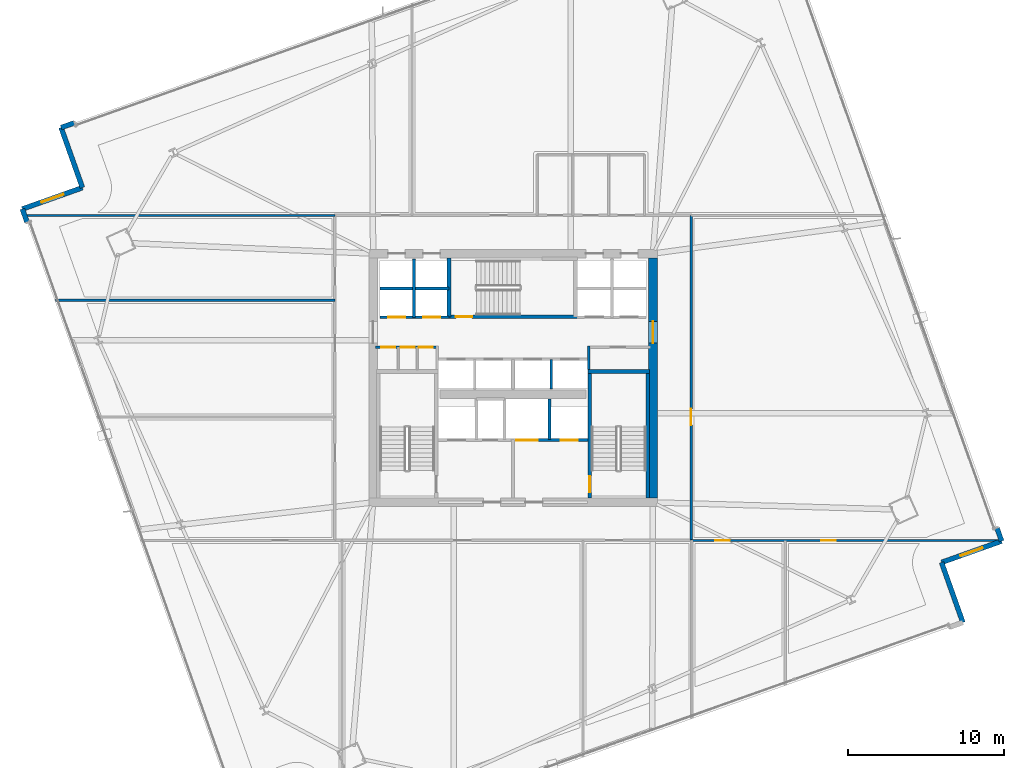
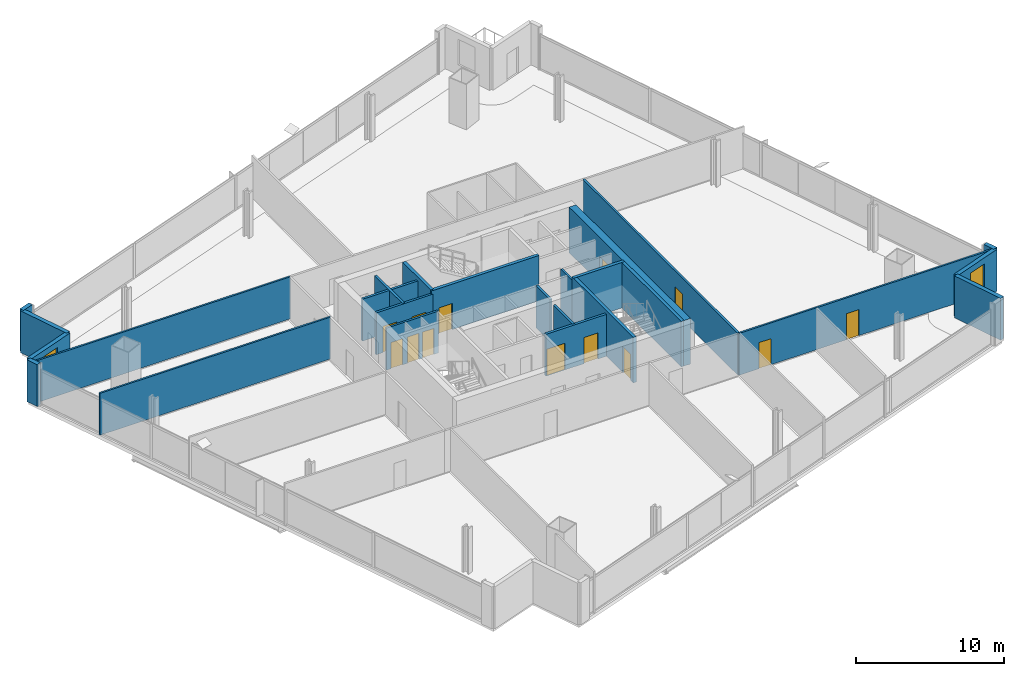
# One storey, part 26 of 33: 25 walls, 13 doors, 2 windows, 15 openings.
"""IFC4 building model written with IfcOpenShell, lengths in metres."""

import ifcopenshell
import ifcopenshell.guid

model = None  # the IFC model being written
_history = None  # IfcOwnerHistory: only IFC2X3 demands one
_inside = {}  # id of a spatial element -> (the spatial element, [elements in it])
_under = {}  # id of a project, library or spatial element -> (it, [spatial elements below it])
_declared = {}  # id of a project -> (the project, [libraries it declares])
_typed = {}  # id of a type object -> (the type object, [elements of that type])
_made_of = {}  # id of a material, layer set ... -> (it, [elements and type objects made of it])


def new_model(schema):
    """Start an empty IFC model of exactly this schema.

    Asked for "IFC4X3", IfcOpenShell would pick the latest addendum, in which some entities
    have other attributes; the version numbers below select the first issue.
    IFC2X3 requires an IfcOwnerHistory on every rooted entity: one is made here for all.
    """
    global model, _history
    if schema == "IFC4X3":
        model = ifcopenshell.file(schema_version=(4, 3, 0, 0))
    else:
        model = ifcopenshell.file(schema=schema)
    _inside.clear()
    _under.clear()
    _declared.clear()
    _typed.clear()
    _made_of.clear()
    _history = None
    if model.schema == "IFC2X3":
        org = make("IfcOrganization", Name="unknown")
        user = make(
            "IfcPersonAndOrganization",
            ThePerson=make("IfcPerson", FamilyName="unknown"),
            TheOrganization=org,
        )
        app = make(
            "IfcApplication",
            ApplicationDeveloper=org,
            Version="unknown",
            ApplicationFullName="unknown",
            ApplicationIdentifier="unknown",
        )
        _history = make(
            "IfcOwnerHistory",
            OwningUser=user,
            OwningApplication=app,
            ChangeAction="ADDED",
            CreationDate=0,
        )
    return model


def make(cls, **values):
    """One entity of the class cls with the attributes given. An attribute that is None is left unset."""
    return model.create_entity(
        cls, **{name: value for name, value in values.items() if value is not None}
    )


def rooted(cls, **values):
    """An entity with a GlobalId (a new one), such as an element, a storey or a relation."""
    return make(cls, GlobalId=ifcopenshell.guid.new(), OwnerHistory=_history, **values)


def si_unit(unit_type, name, prefix=None):
    """IfcSIUnit, for example si_unit("LENGTHUNIT", "METRE", prefix="MILLI")."""
    return make("IfcSIUnit", UnitType=unit_type, Prefix=prefix, Name=name)


def assignment(units):
    """IfcUnitAssignment: the units of a project."""
    return None if units is None else make("IfcUnitAssignment", Units=units)


def point(xyz):
    """IfcCartesianPoint."""
    return None if xyz is None else make("IfcCartesianPoint", Coordinates=xyz)


def direction(xyz):
    """IfcDirection."""
    return None if xyz is None else make("IfcDirection", DirectionRatios=xyz)


def frame(location, z_axis=None, x_axis=None):
    """IfcAxis2Placement3D, a coordinate frame: its origin and axes. An axis left out is left unset."""
    return make(
        "IfcAxis2Placement3D",
        Location=point(location),
        Axis=direction(z_axis),
        RefDirection=direction(x_axis),
    )


def frame_2d(location, x_axis=None):
    """IfcAxis2Placement2D, a coordinate frame in the plane: its origin and x axis."""
    return make(
        "IfcAxis2Placement2D", Location=point(location), RefDirection=direction(x_axis)
    )


def origin():
    """The frame at (0, 0, 0) with its axes left unset."""
    return frame((0.0, 0.0, 0.0))


def place(relative_to, where):
    """IfcLocalPlacement: puts the frame where relative to a parent placement (None: the world)."""
    return make(
        "IfcLocalPlacement", PlacementRelTo=relative_to, RelativePlacement=where
    )


def context(
    kind, dimensions, precision=None, world=None, true_north=None, identifier=None
):
    """IfcGeometricRepresentationContext, for example the 3D "Model" context."""
    return make(
        "IfcGeometricRepresentationContext",
        ContextIdentifier=identifier,
        ContextType=kind,
        CoordinateSpaceDimension=dimensions,
        Precision=precision,
        WorldCoordinateSystem=world,
        TrueNorth=true_north,
    )


def subcontext(parent, identifier, kind, view, scale=None):
    """IfcGeometricRepresentationSubContext, for example "Body" below "Model"."""
    return make(
        "IfcGeometricRepresentationSubContext",
        ContextIdentifier=identifier,
        ContextType=kind,
        ParentContext=parent,
        TargetScale=scale,
        TargetView=view,
    )


def project(units=None, contexts=None):
    """IfcProject with its units and contexts."""
    return rooted(
        "IfcProject",
        Name="project",
        RepresentationContexts=contexts,
        UnitsInContext=assignment(units),
    )


def spatial(cls, under=None, at=None, **own):
    """A site, building, storey or space (cls), placed at a placement, below another one or the project."""
    s = rooted(cls, ObjectPlacement=at, **own)
    if under is not None:
        _under.setdefault(under.id(), (under, []))[1].append(s)
    return s


def profile(cls, at=None, kind="AREA", **sizes):
    """A parametric profile (cls). Its sizes go by their IFC names, for example OverallWidth=200.0."""
    return make(cls, ProfileType=kind, Position=at, **sizes)


def rectangle(**sizes):
    """IfcRectangleProfileDef."""
    return profile("IfcRectangleProfileDef", **sizes)


def extrude(swept, where, along, depth):
    """IfcExtrudedAreaSolid: the profile swept, set in the frame where, extruded along a direction by depth."""
    return make(
        "IfcExtrudedAreaSolid",
        SweptArea=swept,
        Position=where,
        ExtrudedDirection=direction(along),
        Depth=depth,
    )


def shape(context_of_items, identifier, shape_type, items):
    """IfcShapeRepresentation: the items that make up one representation, for example the "Body"."""
    return make(
        "IfcShapeRepresentation",
        ContextOfItems=context_of_items,
        RepresentationIdentifier=identifier,
        RepresentationType=shape_type,
        Items=items,
    )


def material(Name=None, Category=None):
    """IfcMaterial."""
    return make("IfcMaterial", Name=Name, Category=Category)


def layer(
    of_material, thickness, ventilated=None, Name=None, Category=None, Priority=None
):
    """IfcMaterialLayer: one layer of a wall or slab, of a material (None: an air gap)."""
    return make(
        "IfcMaterialLayer",
        Material=of_material,
        LayerThickness=thickness,
        IsVentilated=ventilated,
        Name=Name,
        Category=Category,
        Priority=Priority,
    )


def layer_set(layers, Name=None):
    """IfcMaterialLayerSet."""
    return make("IfcMaterialLayerSet", MaterialLayers=layers, LayerSetName=Name)


def made_of(thing, what):
    """Note that an element or type object is made of a material, layer set ...; save() writes the relation."""
    if what is not None:
        _made_of.setdefault(what.id(), (what, []))[1].append(thing)
    return thing


def type_object(cls, material=None, **own):
    """A type object (cls), such as IfcWallType, which elements share."""
    return made_of(rooted(cls, **own), material)


def element(
    cls,
    number,
    at=None,
    inside=None,
    cuts=None,
    type_object=None,
    material=None,
    context=None,
    identifier="Body",
    shape_type=None,
    held_by="IfcProductDefinitionShape",
    body=None,
    shapes=None,
    **own,
):
    """One element of the class cls, such as IfcWall. Its Tag is "e" and its number.

    at: its placement. inside: the storey or other place that contains it. cuts: it is an
    opening in that element (IfcRelVoidsElement). A single representation is given by context,
    identifier, shape_type and body (its items); several are given by shapes. held_by: the class
    of the entity that holds the representations. save() writes the other relations.
    """
    e = rooted(cls, Tag="e%d" % number, ObjectPlacement=at, **own)
    if body is not None:
        shapes = [shape(context, identifier, shape_type, body)]
    if shapes is not None:
        e.Representation = make(held_by, Representations=shapes)
    if inside is not None:
        _inside.setdefault(inside.id(), (inside, []))[1].append(e)
    if cuts is not None:
        rooted(
            "IfcRelVoidsElement", RelatingBuildingElement=cuts, RelatedOpeningElement=e
        )
    if type_object is not None:
        _typed.setdefault(type_object.id(), (type_object, []))[1].append(e)
    return made_of(e, material)


def fill(opening, filler):
    """IfcRelFillsElement: the door or window that sits in an opening."""
    return rooted(
        "IfcRelFillsElement",
        RelatingOpeningElement=opening,
        RelatedBuildingElement=filler,
    )


def aggregate(whole, parts):
    """IfcRelAggregates: a whole, such as a stair, and the parts it consists of."""
    return rooted("IfcRelAggregates", RelatingObject=whole, RelatedObjects=parts)


def save(model, path):
    """Write the relations noted so far, then the file.

    IfcRelAggregates (storeys below a building ...), IfcRelContainedInSpatialStructure (elements
    in a storey), IfcRelDefinesByType, IfcRelAssociatesMaterial and IfcRelDeclares: one each for
    every whole, place, type object, material and project.
    """
    for whole, parts in _under.values():
        aggregate(whole, parts)
    for where, things in _inside.values():
        rooted(
            "IfcRelContainedInSpatialStructure",
            RelatedElements=things,
            RelatingStructure=where,
        )
    for kind, things in _typed.values():
        rooted("IfcRelDefinesByType", RelatedObjects=things, RelatingType=kind)
    for what, things in _made_of.values():
        rooted("IfcRelAssociatesMaterial", RelatedObjects=things, RelatingMaterial=what)
    for by, libraries in _declared.values():
        rooted("IfcRelDeclares", RelatingContext=by, RelatedDefinitions=libraries)
    model.write(path)


model = new_model("IFC4")

# Units and contexts
model_context = context("Model", 3, precision=1e-05, world=origin(), true_north=direction((0.0, 1.0)))
body_context = subcontext(model_context, "Body", "Model", "MODEL_VIEW")
ifc_project = project(units=[si_unit("LENGTHUNIT", "METRE"), si_unit("AREAUNIT", "SQUARE_METRE"), si_unit("VOLUMEUNIT", "CUBIC_METRE"), si_unit("PLANEANGLEUNIT", "RADIAN"), si_unit("MASSUNIT", "GRAM", prefix="KILO")], contexts=[model_context])

# Site, building, storey
site_placement = place(None, origin())
site = spatial("IfcSite", under=ifc_project, at=site_placement, CompositionType="ELEMENT")
building_placement = place(site_placement, origin())
building = spatial("IfcBuilding", under=site, at=building_placement, Name="Haldenkirk Collegiate Tower", CompositionType="ELEMENT")
storey_placement = place(building_placement, frame((0.0, 0.0, 94.199951171875)))
storey = spatial("IfcBuildingStorey", under=building, at=storey_placement, Name="L22", CompositionType="ELEMENT", Elevation=94.199951171875)

# Wall, opening, door
ifc_material_1 = material(Name="Concrete f'c 70 MPa", Category="concrete")
ifc_layer_1 = layer(ifc_material_1, 0.550048828125)
ifc_layer_set_1 = layer_set([ifc_layer_1], Name="Concrete f'c 70 MPa")
wall_type_1 = type_object("IfcWallType", Name="WL-CORE-550", PredefinedType="SHEAR", material=ifc_layer_set_1)
wall_1_placement = place(storey_placement, frame((45.0, 18.27490234375, 0.0), z_axis=(0.0, 0.0, 1.0), x_axis=(0.0, 1.0, 0.0)))
wall_1 = element("IfcWall", 1, at=wall_1_placement, inside=storey, type_object=wall_type_1, Name="L22 central core shear wall E", PredefinedType="SHEAR", context=body_context, shape_type="SweptSolid", body=[
    extrude(rectangle(XDim=15.4501953125, YDim=0.550048828125, at=frame_2d((7.72509765625, 0.0))), origin(), (0.0, 0.0, 1.0), 3.75),
])
opening_1_placement = place(wall_1_placement, frame((9.965087890625, 0.0, 0.0)))
opening_1 = element("IfcOpeningElement", 2, at=opening_1_placement, cuts=wall_1, Name="Opening D-03", PredefinedType="OPENING", context=body_context, shape_type="SweptSolid", body=[
    extrude(rectangle(XDim=1.39990234375, YDim=2.199951171875, at=frame_2d((0.699951171875, 1.10009765625))), frame((0.0, 0.284912109375, 0.0), z_axis=(0.0, -1.0, 0.0), x_axis=(1.0, 0.0, 0.0)), (0.0, 0.0, 1.0), 0.570068359375),
])
ifc_material_2 = material(Name="Galvanized fire-rated hollow steel door", Category="steel")
ifc_layer_2 = layer(ifc_material_2, 0.06005859375)
ifc_layer_set_2 = layer_set([ifc_layer_2], Name="Galvanized fire-rated hollow steel door")
door_type_1 = type_object("IfcDoorType", Name="DR-LOBBY-FD90-1400", OperationType="NOTDEFINED", PredefinedType="DOOR", material=ifc_layer_set_2)
door_1_placement = place(opening_1_placement, origin())
door_1 = element("IfcDoor", 3, at=door_1_placement, inside=storey, type_object=door_type_1, Name="L22 east lift lobby portal", OperationType="DOUBLE_DOOR_SINGLE_SWING", OverallHeight=2.199951171875, OverallWidth=1.39990234375, PredefinedType="DOOR", context=body_context, shape_type="SweptSolid", body=[
    extrude(rectangle(XDim=1.39990234375, YDim=2.199951171875, at=frame_2d((0.699951171875, 1.10009765625))), frame((0.0, 0.02490234375, 0.0), z_axis=(0.0, -1.0, 0.0), x_axis=(1.0, 0.0, 0.0)), (0.0, 0.0, 1.0), 0.050048828125),
])
fill(opening_1, door_1)

# Wall
ifc_material_3 = material(Name="Precast concrete f'c 40 MPa", Category="concrete")
ifc_layer_3 = layer(ifc_material_3, 0.320068359375)
ifc_layer_set_3 = layer_set([ifc_layer_3], Name="Precast concrete f'c 40 MPa")
wall_type_2 = type_object("IfcWallType", Name="WL-EXT-TWR-320", PredefinedType="STANDARD", material=ifc_layer_set_3)
wall_2_placement = place(storey_placement, frame((63.55810546875, 14.137939453125, 0.0), z_axis=(0.0, 0.0, 1.0), x_axis=(0.334657214633, -0.942339932664, 0.0)))
element("IfcWall", 4, at=wall_2_placement, inside=storey, type_object=wall_type_2, Name="L22 bronze precast notch wall 02", PredefinedType="STANDARD", context=body_context, shape_type="SweptSolid", body=[
    extrude(rectangle(XDim=4.099853515625, YDim=0.320068359375, at=frame_2d((2.0498046875, 0.0))), origin(), (0.0, 0.0, 1.0), 3.449951171875),
])

# Wall, opening, window
wall_3_placement = place(storey_placement, frame((67.421875, 15.510009765625, 0.0), z_axis=(0.0, 0.0, 1.0), x_axis=(-0.942346601157, -0.334638436655, 0.0)))
wall_3 = element("IfcWall", 5, at=wall_3_placement, inside=storey, type_object=wall_type_2, Name="L22 bronze precast notch wall 03", PredefinedType="STANDARD", context=body_context, shape_type="SweptSolid", body=[
    extrude(rectangle(XDim=4.10009765625, YDim=0.320068359375, at=frame_2d((2.050048828125, 0.0))), origin(), (0.0, 0.0, 1.0), 3.449951171875),
])
opening_2_placement = place(wall_3_placement, frame((1.300048828125, 0.0, 0.85009765625)))
opening_2 = element("IfcOpeningElement", 6, at=opening_2_placement, cuts=wall_3, Name="Opening W-04", PredefinedType="OPENING", context=body_context, shape_type="SweptSolid", body=[
    extrude(rectangle(XDim=1.5, YDim=2.10009765625, at=frame_2d((0.75, 1.050048828125))), frame((0.0, 0.169921875, 0.0), z_axis=(0.0, -1.0, 0.0), x_axis=(1.0, 0.0, 0.0)), (0.0, 0.0, 1.0), 0.340087890625),
])
ifc_material_4 = material(Name="Low-E argon triple insulating glass", Category="glass")
ifc_layer_4 = layer(ifc_material_4, 0.090087890625)
ifc_layer_set_4 = layer_set([ifc_layer_4], Name="Low-E argon triple insulating glass")
window_type = type_object("IfcWindowType", Name="WN-Z2-1500X2100", PartitioningType="SINGLE_PANEL", PredefinedType="WINDOW", material=ifc_layer_set_4)
window_1_placement = place(opening_2_placement, origin())
window_1 = element("IfcWindow", 7, at=window_1_placement, inside=storey, type_object=window_type, Name="L22 precast-frame academic window 2", OverallHeight=2.10009765625, OverallWidth=1.5, PartitioningType="SINGLE_PANEL", PredefinedType="WINDOW", context=body_context, shape_type="SweptSolid", body=[
    extrude(rectangle(XDim=1.5, YDim=2.10009765625, at=frame_2d((0.75, 1.050048828125))), frame((0.0, 0.030029296875, 0.0), z_axis=(0.0, -1.0, 0.0), x_axis=(1.0, 0.0, 0.0)), (0.0, 0.0, 1.0), 0.06005859375),
])
fill(opening_2, window_1)

# Walls
for number, where, z_axis, x_axis, name in (
    (8, (67.12060546875, 16.35791015625, 0.0), (0.0, 0.0, 1.0), (0.334806260651, -0.94228698804, 0.0), "L22 precast corner pier ER"),
    (9, (6.93603515625, 42.102783203125, 0.0), (0.0, 0.0, 1.0), (0.942402922144, 0.334479793611, 0.0), "L22 precast corner pier NL"),
):
    element("IfcWall", number, at=place(storey_placement, frame(where, z_axis=z_axis, x_axis=x_axis)), inside=storey, type_object=wall_type_2, Name=name, PredefinedType="STANDARD", context=body_context, shape_type="SweptSolid", body=[
        extrude(rectangle(XDim=0.89990234375, YDim=0.320068359375, at=frame_2d((0.449951171875, 0.0))), origin(), (0.0, 0.0, 1.0), 3.449951171875),
    ])
wall_4_placement = place(storey_placement, frame((8.30810546875, 38.239013671875, 0.0), z_axis=(0.0, 0.0, 1.0), x_axis=(-0.334638436655, 0.942346601157, 0.0)))
element("IfcWall", 10, at=wall_4_placement, inside=storey, type_object=wall_type_2, Name="L22 bronze precast notch wall 08", PredefinedType="STANDARD", context=body_context, shape_type="SweptSolid", body=[
    extrude(rectangle(XDim=4.10009765625, YDim=0.320068359375, at=frame_2d((2.050048828125, 0.0))), origin(), (0.0, 0.0, 1.0), 3.449951171875),
])

# Wall, opening, window
wall_5_placement = place(storey_placement, frame((4.4443359375, 36.8671875, 0.0), z_axis=(0.0, 0.0, 1.0), x_axis=(0.942365377039, 0.334585558801, 0.0)))
wall_5 = element("IfcWall", 11, at=wall_5_placement, inside=storey, type_object=wall_type_2, Name="L22 bronze precast notch wall 09", PredefinedType="STANDARD", context=body_context, shape_type="SweptSolid", body=[
    extrude(rectangle(XDim=4.10009765625, YDim=0.320068359375, at=frame_2d((2.050048828125, 0.0))), origin(), (0.0, 0.0, 1.0), 3.449951171875),
])
opening_3_placement = place(wall_5_placement, frame((1.300048828125, 0.0, 0.85009765625)))
opening_3 = element("IfcOpeningElement", 12, at=opening_3_placement, cuts=wall_5, Name="Opening W-04", PredefinedType="OPENING", context=body_context, shape_type="SweptSolid", body=[
    extrude(rectangle(XDim=1.5, YDim=2.10009765625, at=frame_2d((0.75, 1.050048828125))), frame((0.0, 0.169921875, 0.0), z_axis=(0.0, -1.0, 0.0), x_axis=(1.0, 0.0, 0.0)), (0.0, 0.0, 1.0), 0.340087890625),
])
window_2_placement = place(opening_3_placement, origin())
window_2 = element("IfcWindow", 13, at=window_2_placement, inside=storey, type_object=window_type, Name="L22 precast-frame academic window 8", OverallHeight=2.10009765625, OverallWidth=1.5, PartitioningType="SINGLE_PANEL", PredefinedType="WINDOW", context=body_context, shape_type="SweptSolid", body=[
    extrude(rectangle(XDim=1.5, YDim=2.10009765625, at=frame_2d((0.75, 1.050048828125))), frame((0.0, 0.030029296875, 0.0), z_axis=(0.0, -1.0, 0.0), x_axis=(1.0, 0.0, 0.0)), (0.0, 0.0, 1.0), 0.06005859375),
])
fill(opening_3, window_2)

# Wall
wall_6_placement = place(storey_placement, frame((4.74560546875, 36.01904296875, 0.0), z_axis=(0.0, 0.0, 1.0), x_axis=(-0.334720684813, 0.942317389821, 0.0)))
element("IfcWall", 14, at=wall_6_placement, inside=storey, type_object=wall_type_2, Name="L22 precast corner pier WR", PredefinedType="STANDARD", context=body_context, shape_type="SweptSolid", body=[
    extrude(rectangle(XDim=0.900146484375, YDim=0.320068359375, at=frame_2d((0.4501953125, 0.0))), origin(), (0.0, 0.0, 1.0), 3.449951171875),
])

# Wall, openings, doors
ifc_material_5 = material(Name="Acoustic fire-rated gypsum partition", Category="concrete")
ifc_layer_5 = layer(ifc_material_5, 0.159912109375)
ifc_layer_set_5 = layer_set([ifc_layer_5], Name="Acoustic fire-rated gypsum partition")
wall_type_3 = type_object("IfcWallType", Name="WL-INT-CORR-160", PredefinedType="PARTITIONING", material=ifc_layer_set_5)
wall_7_placement = place(storey_placement, frame((27.14990234375, 27.97998046875, 0.0), z_axis=(0.0, 0.0, 1.0), x_axis=(1.0, 0.0, 0.0)))
wall_7 = element("IfcWall", 15, at=wall_7_placement, inside=storey, type_object=wall_type_3, Name="L22 interior partition IW-L22-VCSW-N", PredefinedType="PARTITIONING", context=body_context, shape_type="SweptSolid", body=[
    extrude(rectangle(XDim=4.050048828125, YDim=0.159912109375, at=frame_2d((2.02490234375, 0.0))), origin(), (0.0, 0.0, 1.0), 3.449951171875),
])
opening_4_placement = place(wall_7_placement, frame((0.360107421875, 0.0, 0.0)))
opening_4 = element("IfcOpeningElement", 16, at=opening_4_placement, cuts=wall_7, Name="Opening D-11", PredefinedType="OPENING", context=body_context, shape_type="SweptSolid", body=[
    extrude(rectangle(XDim=0.89990234375, YDim=2.14990234375, at=frame_2d((0.449951171875, 1.074951171875))), frame((0.0, 0.08984375, 0.0), z_axis=(0.0, -1.0, 0.0), x_axis=(1.0, 0.0, 0.0)), (0.0, 0.0, 1.0), 0.179931640625),
])
opening_5_placement = place(wall_7_placement, frame((1.6298828125, 0.0, 0.0)))
opening_5 = element("IfcOpeningElement", 17, at=opening_5_placement, cuts=wall_7, Name="Opening D-11", PredefinedType="OPENING", context=body_context, shape_type="SweptSolid", body=[
    extrude(rectangle(XDim=0.89990234375, YDim=2.14990234375, at=frame_2d((0.449951171875, 1.074951171875))), frame((0.0, 0.08984375, 0.0), z_axis=(0.0, -1.0, 0.0), x_axis=(1.0, 0.0, 0.0)), (0.0, 0.0, 1.0), 0.179931640625),
])
opening_6_placement = place(wall_7_placement, frame((2.78759765625, 0.0, 0.0)))
opening_6 = element("IfcOpeningElement", 18, at=opening_6_placement, cuts=wall_7, Name="Opening D-11", PredefinedType="OPENING", context=body_context, shape_type="SweptSolid", body=[
    extrude(rectangle(XDim=0.89990234375, YDim=2.14990234375, at=frame_2d((0.449951171875, 1.074951171875))), frame((0.0, 0.08984375, 0.0), z_axis=(0.0, -1.0, 0.0), x_axis=(1.0, 0.0, 0.0)), (0.0, 0.0, 1.0), 0.179931640625),
])
ifc_material_6 = material(Name="Solid-core architectural oak fire door", Category="wood")
ifc_layer_6 = layer(ifc_material_6, 0.06005859375)
ifc_layer_set_6 = layer_set([ifc_layer_6], Name="Solid-core architectural oak fire door")
door_type_2 = type_object("IfcDoorType", Name="DR-INT-FD60-900", OperationType="NOTDEFINED", PredefinedType="DOOR", material=ifc_layer_set_6)
door_2_placement = place(opening_4_placement, origin())
door_2 = element("IfcDoor", 19, at=door_2_placement, inside=storey, type_object=door_type_2, Name="L22 core study booth door", OperationType="SINGLE_SWING_RIGHT", OverallHeight=2.14990234375, OverallWidth=0.89990234375, PredefinedType="DOOR", context=body_context, shape_type="SweptSolid", body=[
    extrude(rectangle(XDim=0.89990234375, YDim=2.14990234375, at=frame_2d((0.449951171875, 1.074951171875))), frame((0.0, 0.02490234375, 0.0), z_axis=(0.0, -1.0, 0.0), x_axis=(1.0, 0.0, 0.0)), (0.0, 0.0, 1.0), 0.050048828125),
])
fill(opening_4, door_2)
door_3_placement = place(opening_5_placement, origin())
door_3 = element("IfcDoor", 20, at=door_3_placement, inside=storey, type_object=door_type_2, Name="L22 core cleaners door", OperationType="SINGLE_SWING_LEFT", OverallHeight=2.14990234375, OverallWidth=0.89990234375, PredefinedType="DOOR", context=body_context, shape_type="SweptSolid", body=[
    extrude(rectangle(XDim=0.89990234375, YDim=2.14990234375, at=frame_2d((0.449951171875, 1.074951171875))), frame((0.0, 0.02490234375, 0.0), z_axis=(0.0, -1.0, 0.0), x_axis=(1.0, 0.0, 0.0)), (0.0, 0.0, 1.0), 0.050048828125),
])
fill(opening_5, door_3)
door_4_placement = place(opening_6_placement, origin())
door_4 = element("IfcDoor", 21, at=door_4_placement, inside=storey, type_object=door_type_2, Name="L22 core stationery door", OperationType="SINGLE_SWING_RIGHT", OverallHeight=2.14990234375, OverallWidth=0.89990234375, PredefinedType="DOOR", context=body_context, shape_type="SweptSolid", body=[
    extrude(rectangle(XDim=0.89990234375, YDim=2.14990234375, at=frame_2d((0.449951171875, 1.074951171875))), frame((0.0, 0.02490234375, 0.0), z_axis=(0.0, -1.0, 0.0), x_axis=(1.0, 0.0, 0.0)), (0.0, 0.0, 1.0), 0.050048828125),
])
fill(opening_6, door_4)

# Wall
wall_8_placement = place(storey_placement, frame((40.8798828125, 26.5400390625, 0.0), z_axis=(0.0, 0.0, 1.0), x_axis=(0.0, 1.0, 0.0)))
element("IfcWall", 22, at=wall_8_placement, inside=storey, type_object=wall_type_3, Name="L22 interior partition IW-L22-VCSE-W", PredefinedType="PARTITIONING", context=body_context, shape_type="SweptSolid", body=[
    extrude(rectangle(XDim=1.510009765625, YDim=0.159912109375, at=frame_2d((0.7548828125, 0.0))), origin(), (0.0, 0.0, 1.0), 3.449951171875),
])

# Wall, opening, door
wall_9_placement = place(storey_placement, frame((47.449951171875, 15.550048828125, 0.0), z_axis=(0.0, 0.0, 1.0), x_axis=(0.0, 1.0, 0.0)))
wall_9 = element("IfcWall", 23, at=wall_9_placement, inside=storey, type_object=wall_type_3, Name="L22 interior partition IW-L22-CE", PredefinedType="PARTITIONING", context=body_context, shape_type="SweptSolid", body=[
    extrude(rectangle(XDim=20.89990234375, YDim=0.159912109375, at=frame_2d((10.449951171875, 0.0))), origin(), (0.0, 0.0, 1.0), 3.449951171875),
])
opening_7_placement = place(wall_9_placement, frame((7.4169921875, 0.0, 0.0)))
opening_7 = element("IfcOpeningElement", 24, at=opening_7_placement, cuts=wall_9, Name="Opening D-09", PredefinedType="OPENING", context=body_context, shape_type="SweptSolid", body=[
    extrude(rectangle(XDim=1.050048828125, YDim=2.14990234375, at=frame_2d((0.52490234375, 1.074951171875))), frame((0.0, 0.08984375, 0.0), z_axis=(0.0, -1.0, 0.0), x_axis=(1.0, 0.0, 0.0)), (0.0, 0.0, 1.0), 0.179931640625),
])
ifc_layer_7 = layer(ifc_material_6, 0.06005859375)
ifc_layer_set_7 = layer_set([ifc_layer_7], Name="Solid-core architectural oak fire door")
door_type_3 = type_object("IfcDoorType", Name="DR-INT-FD60-1050", OperationType="NOTDEFINED", PredefinedType="DOOR", material=ifc_layer_set_7)
door_5_placement = place(opening_7_placement, origin())
door_5 = element("IfcDoor", 25, at=door_5_placement, inside=storey, type_object=door_type_3, Name="L22 Colloquium Conference Room 11 door", OperationType="SINGLE_SWING_LEFT", OverallHeight=2.14990234375, OverallWidth=1.050048828125, PredefinedType="DOOR", context=body_context, shape_type="SweptSolid", body=[
    extrude(rectangle(XDim=1.050048828125, YDim=2.14990234375, at=frame_2d((0.52490234375, 1.074951171875))), frame((0.0, 0.02490234375, 0.0), z_axis=(0.0, -1.0, 0.0), x_axis=(1.0, 0.0, 0.0)), (0.0, 0.0, 1.0), 0.050048828125),
])
fill(opening_7, door_5)

# Wall
ifc_layer_8 = layer(ifc_material_5, 0.139892578125)
ifc_layer_set_8 = layer_set([ifc_layer_8], Name="Acoustic fire-rated gypsum partition")
wall_type_4 = type_object("IfcWallType", Name="WL-INT-DIV-140", PredefinedType="PARTITIONING", material=ifc_layer_set_8)
wall_10_placement = place(storey_placement, frame((4.635009765625, 36.449951171875, 0.0), z_axis=(0.0, 0.0, 1.0), x_axis=(1.0, 0.0, 0.0)))
element("IfcWall", 26, at=wall_10_placement, inside=storey, type_object=wall_type_4, Name="L22 interior partition IW-L22-BWN", PredefinedType="PARTITIONING", context=body_context, shape_type="SweptSolid", body=[
    extrude(rectangle(XDim=19.9150390625, YDim=0.139892578125, at=frame_2d((9.95751953125, 0.0))), origin(), (0.0, 0.0, 1.0), 3.449951171875),
])

# Wall, openings, doors
wall_11_placement = place(storey_placement, frame((47.449951171875, 15.550048828125, 0.0), z_axis=(0.0, 0.0, 1.0), x_axis=(1.0, 0.0, 0.0)))
wall_11 = element("IfcWall", 27, at=wall_11_placement, inside=storey, type_object=wall_type_4, Name="L22 interior partition IW-L22-BES", PredefinedType="PARTITIONING", context=body_context, shape_type="SweptSolid", body=[
    extrude(rectangle(XDim=19.9150390625, YDim=0.139892578125, at=frame_2d((9.95751953125, 0.0))), origin(), (0.0, 0.0, 1.0), 3.449951171875),
])
opening_8_placement = place(wall_11_placement, frame((1.5439453125, 0.0, 0.0)))
opening_8 = element("IfcOpeningElement", 28, at=opening_8_placement, cuts=wall_11, Name="Opening D-12", PredefinedType="OPENING", context=body_context, shape_type="SweptSolid", body=[
    extrude(rectangle(XDim=0.949951171875, YDim=2.14990234375, at=frame_2d((0.47509765625, 1.074951171875))), frame((0.0, 0.079833984375, 0.0), z_axis=(0.0, -1.0, 0.0), x_axis=(1.0, 0.0, 0.0)), (0.0, 0.0, 1.0), 0.159912109375),
])
opening_9_placement = place(wall_11_placement, frame((8.363037109375, 0.0, 0.0)))
opening_9 = element("IfcOpeningElement", 29, at=opening_9_placement, cuts=wall_11, Name="Opening D-12", PredefinedType="OPENING", context=body_context, shape_type="SweptSolid", body=[
    extrude(rectangle(XDim=0.949951171875, YDim=2.14990234375, at=frame_2d((0.47509765625, 1.074951171875))), frame((0.0, 0.079833984375, 0.0), z_axis=(0.0, -1.0, 0.0), x_axis=(1.0, 0.0, 0.0)), (0.0, 0.0, 1.0), 0.159912109375),
])
ifc_layer_9 = layer(ifc_material_6, 0.06005859375)
ifc_layer_set_9 = layer_set([ifc_layer_9], Name="Solid-core architectural oak fire door")
door_type_4 = type_object("IfcDoorType", Name="DR-INT-STD-950", OperationType="NOTDEFINED", PredefinedType="DOOR", material=ifc_layer_set_9)
door_6_placement = place(opening_8_placement, origin())
door_6 = element("IfcDoor", 30, at=door_6_placement, inside=storey, type_object=door_type_4, Name="L22 Graduate Seminar Room 4 door", OperationType="SINGLE_SWING_RIGHT", OverallHeight=2.14990234375, OverallWidth=0.949951171875, PredefinedType="DOOR", context=body_context, shape_type="SweptSolid", body=[
    extrude(rectangle(XDim=0.949951171875, YDim=2.14990234375, at=frame_2d((0.47509765625, 1.074951171875))), frame((0.0, 0.02490234375, 0.0), z_axis=(0.0, -1.0, 0.0), x_axis=(1.0, 0.0, 0.0)), (0.0, 0.0, 1.0), 0.050048828125),
])
fill(opening_8, door_6)
door_7_placement = place(opening_9_placement, origin())
door_7 = element("IfcDoor", 31, at=door_7_placement, inside=storey, type_object=door_type_4, Name="L22 Colloquium Conference Room 5 door", OperationType="SINGLE_SWING_LEFT", OverallHeight=2.14990234375, OverallWidth=0.949951171875, PredefinedType="DOOR", context=body_context, shape_type="SweptSolid", body=[
    extrude(rectangle(XDim=0.949951171875, YDim=2.14990234375, at=frame_2d((0.47509765625, 1.074951171875))), frame((0.0, 0.02490234375, 0.0), z_axis=(0.0, -1.0, 0.0), x_axis=(1.0, 0.0, 0.0)), (0.0, 0.0, 1.0), 0.050048828125),
])
fill(opening_9, door_7)

# Walls
wall_12_placement = place(storey_placement, frame((6.5703125, 31.0, 0.0), z_axis=(0.0, 0.0, 1.0), x_axis=(1.0, 0.0, 0.0)))
element("IfcWall", 32, at=wall_12_placement, inside=storey, type_object=wall_type_4, Name="L22 interior partition IW-L22-RW2", PredefinedType="PARTITIONING", context=body_context, shape_type="SweptSolid", body=[
    extrude(rectangle(XDim=17.979736328125, YDim=0.139892578125, at=frame_2d((8.98974609375, 0.0))), origin(), (0.0, 0.0, 1.0), 3.449951171875),
])
ifc_material_7 = material(Name="Fire-rated gypsum shaftboard assembly", Category="concrete")
ifc_layer_10 = layer(ifc_material_7, 0.179931640625)
ifc_layer_set_10 = layer_set([ifc_layer_10], Name="Fire-rated gypsum shaftboard assembly")
wall_type_5 = type_object("IfcWallType", Name="WL-INT-SHAFT-180", PredefinedType="PARTITIONING", material=ifc_layer_set_10)
wall_13_placement = place(storey_placement, frame((38.35009765625, 22.050048828125, 0.0), z_axis=(0.0, 0.0, 1.0), x_axis=(0.0, 1.0, 0.0)))
element("IfcWall", 33, at=wall_13_placement, inside=storey, type_object=wall_type_5, Name="L22 interior partition IW-L22-GL1E", PredefinedType="PARTITIONING", context=body_context, shape_type="SweptSolid", body=[
    extrude(rectangle(XDim=2.599853515625, YDim=0.179931640625, at=frame_2d((1.2998046875, 0.0))), origin(), (0.0, 0.0, 1.0), 3.449951171875),
])

# Wall, openings, doors
wall_14_placement = place(storey_placement, frame((27.449951171875, 29.89990234375, 0.0), z_axis=(0.0, 0.0, 1.0), x_axis=(1.0, 0.0, 0.0)))
wall_14 = element("IfcWall", 34, at=wall_14_placement, inside=storey, type_object=wall_type_5, Name="L22 interior partition IW-L22-PLS", PredefinedType="PARTITIONING", context=body_context, shape_type="SweptSolid", body=[
    extrude(rectangle(XDim=4.429931640625, YDim=0.179931640625, at=frame_2d((2.21484375, 0.0))), origin(), (0.0, 0.0, 1.0), 3.449951171875),
])
opening_10_placement = place(wall_14_placement, frame((0.514892578125, 0.0, 0.0)))
opening_10 = element("IfcOpeningElement", 35, at=opening_10_placement, cuts=wall_14, Name="Opening LD-11", PredefinedType="OPENING", context=body_context, shape_type="SweptSolid", body=[
    extrude(rectangle(XDim=1.10009765625, YDim=2.14990234375, at=frame_2d((0.550048828125, 1.074951171875))), frame((0.0, 0.099853515625, 0.0), z_axis=(0.0, -1.0, 0.0), x_axis=(1.0, 0.0, 0.0)), (0.0, 0.0, 1.0), 0.199951171875),
])
opening_11_placement = place(wall_14_placement, frame((2.764892578125, 0.0, 0.0)))
opening_11 = element("IfcOpeningElement", 36, at=opening_11_placement, cuts=wall_14, Name="Opening LD-11", PredefinedType="OPENING", context=body_context, shape_type="SweptSolid", body=[
    extrude(rectangle(XDim=1.10009765625, YDim=2.14990234375, at=frame_2d((0.550048828125, 1.074951171875))), frame((0.0, 0.099853515625, 0.0), z_axis=(0.0, -1.0, 0.0), x_axis=(1.0, 0.0, 0.0)), (0.0, 0.0, 1.0), 0.199951171875),
])
ifc_material_8 = material(Name="Brushed architectural stainless steel", Category="steel")
ifc_layer_11 = layer(ifc_material_8, 0.06005859375)
ifc_layer_set_11 = layer_set([ifc_layer_11], Name="Brushed architectural stainless steel")
door_type_5 = type_object("IfcDoorType", Name="LD-PASS-1100", OperationType="NOTDEFINED", PredefinedType="DOOR", material=ifc_layer_set_11)
door_8_placement = place(opening_10_placement, origin())
door_8 = element("IfcDoor", 37, at=door_8_placement, inside=storey, type_object=door_type_5, Name="L22 Elevator PL1 sliding landing door", OperationType="SLIDING_TO_LEFT", OverallHeight=2.14990234375, OverallWidth=1.10009765625, PredefinedType="DOOR", context=body_context, shape_type="SweptSolid", body=[
    extrude(rectangle(XDim=1.10009765625, YDim=2.14990234375, at=frame_2d((0.550048828125, 1.074951171875))), frame((0.0, 0.02490234375, 0.0), z_axis=(0.0, -1.0, 0.0), x_axis=(1.0, 0.0, 0.0)), (0.0, 0.0, 1.0), 0.050048828125),
])
fill(opening_10, door_8)
door_9_placement = place(opening_11_placement, origin())
door_9 = element("IfcDoor", 38, at=door_9_placement, inside=storey, type_object=door_type_5, Name="L22 Elevator PL2 sliding landing door", OperationType="SLIDING_TO_LEFT", OverallHeight=2.14990234375, OverallWidth=1.10009765625, PredefinedType="DOOR", context=body_context, shape_type="SweptSolid", body=[
    extrude(rectangle(XDim=1.10009765625, YDim=2.14990234375, at=frame_2d((0.550048828125, 1.074951171875))), frame((0.0, 0.02490234375, 0.0), z_axis=(0.0, -1.0, 0.0), x_axis=(1.0, 0.0, 0.0)), (0.0, 0.0, 1.0), 0.050048828125),
])
fill(opening_11, door_9)

# Walls
wall_15_placement = place(storey_placement, frame((27.449951171875, 31.75, 0.0), z_axis=(0.0, 0.0, 1.0), x_axis=(1.0, 0.0, 0.0)))
element("IfcWall", 39, at=wall_15_placement, inside=storey, type_object=wall_type_5, Name="L22 interior partition IW-L22-PLM", PredefinedType="PARTITIONING", context=body_context, shape_type="SweptSolid", body=[
    extrude(rectangle(XDim=4.429931640625, YDim=0.179931640625, at=frame_2d((2.21484375, 0.0))), origin(), (0.0, 0.0, 1.0), 3.449951171875),
])
wall_16_placement = place(storey_placement, frame((29.6298828125, 29.89990234375, 0.0), z_axis=(0.0, 0.0, 1.0), x_axis=(0.0, 1.0, 0.0)))
element("IfcWall", 40, at=wall_16_placement, inside=storey, type_object=wall_type_5, Name="L22 interior partition IW-L22-PLV", PredefinedType="PARTITIONING", context=body_context, shape_type="SweptSolid", body=[
    extrude(rectangle(XDim=3.75, YDim=0.179931640625, at=frame_2d((1.875, 0.0))), origin(), (0.0, 0.0, 1.0), 3.449951171875),
])
wall_17_placement = place(storey_placement, frame((38.4599609375, 25.300048828125, 0.0), z_axis=(0.0, 0.0, 1.0), x_axis=(0.0, 1.0, 0.0)))
element("IfcWall", 41, at=wall_17_placement, inside=storey, type_object=wall_type_5, Name="L22 interior partition IW-L22-PHV3", PredefinedType="PARTITIONING", context=body_context, shape_type="SweptSolid", body=[
    extrude(rectangle(XDim=1.89990234375, YDim=0.179931640625, at=frame_2d((0.949951171875, 0.0))), origin(), (0.0, 0.0, 1.0), 3.449951171875),
])

# Wall, openings, doors
ifc_layer_12 = layer(ifc_material_7, 0.199951171875)
ifc_layer_set_12 = layer_set([ifc_layer_12], Name="Fire-rated gypsum shaftboard assembly")
wall_type_6 = type_object("IfcWallType", Name="WL-INT-SHAFT-200", PredefinedType="PARTITIONING", material=ifc_layer_set_12)
wall_18_placement = place(storey_placement, frame((36.1201171875, 22.0, 0.0), z_axis=(0.0, 0.0, 1.0), x_axis=(1.0, 0.0, 0.0)))
wall_18 = element("IfcWall", 42, at=wall_18_placement, inside=storey, type_object=wall_type_6, Name="L22 interior partition IW-L22-FFL2N", PredefinedType="PARTITIONING", context=body_context, shape_type="SweptSolid", body=[
    extrude(rectangle(XDim=4.68994140625, YDim=0.199951171875, at=frame_2d((2.344970703125, 0.0))), origin(), (0.0, 0.0, 1.0), 3.449951171875),
])
opening_12_placement = place(wall_18_placement, frame((2.955078125, 0.0, 0.0)))
opening_12 = element("IfcOpeningElement", 43, at=opening_12_placement, cuts=wall_18, Name="Opening LD-12", PredefinedType="OPENING", context=body_context, shape_type="SweptSolid", body=[
    extrude(rectangle(XDim=1.10009765625, YDim=2.14990234375, at=frame_2d((0.550048828125, 1.074951171875))), frame((0.0, 0.10986328125, 0.0), z_axis=(0.0, -1.0, 0.0), x_axis=(1.0, 0.0, 0.0)), (0.0, 0.0, 1.0), 0.219970703125),
])
opening_13_placement = place(wall_18_placement, frame((0.080078125, 0.0, 0.0)))
opening_13 = element("IfcOpeningElement", 44, at=opening_13_placement, cuts=wall_18, Name="Opening LD-13", PredefinedType="OPENING", context=body_context, shape_type="SweptSolid", body=[
    extrude(rectangle(XDim=1.39990234375, YDim=2.199951171875, at=frame_2d((0.699951171875, 1.10009765625))), frame((0.0, 0.10986328125, 0.0), z_axis=(0.0, -1.0, 0.0), x_axis=(1.0, 0.0, 0.0)), (0.0, 0.0, 1.0), 0.219970703125),
])
ifc_layer_13 = layer(ifc_material_8, 0.06005859375)
ifc_layer_set_13 = layer_set([ifc_layer_13], Name="Brushed architectural stainless steel")
door_type_6 = type_object("IfcDoorType", Name="LD-FIRE-1100", OperationType="NOTDEFINED", PredefinedType="DOOR", material=ifc_layer_set_13)
door_10_placement = place(opening_12_placement, origin())
door_10 = element("IfcDoor", 45, at=door_10_placement, inside=storey, type_object=door_type_6, Name="L22 Elevator FL2 sliding landing door", OperationType="SLIDING_TO_LEFT", OverallHeight=2.14990234375, OverallWidth=1.10009765625, PredefinedType="DOOR", context=body_context, shape_type="SweptSolid", body=[
    extrude(rectangle(XDim=1.10009765625, YDim=2.14990234375, at=frame_2d((0.550048828125, 1.074951171875))), frame((0.0, 0.02490234375, 0.0), z_axis=(0.0, -1.0, 0.0), x_axis=(1.0, 0.0, 0.0)), (0.0, 0.0, 1.0), 0.050048828125),
])
fill(opening_12, door_10)
ifc_layer_14 = layer(ifc_material_8, 0.06005859375)
ifc_layer_set_14 = layer_set([ifc_layer_14], Name="Brushed architectural stainless steel")
door_type_7 = type_object("IfcDoorType", Name="LD-GOODS-1400", OperationType="NOTDEFINED", PredefinedType="DOOR", material=ifc_layer_set_14)
door_11_placement = place(opening_13_placement, origin())
door_11 = element("IfcDoor", 46, at=door_11_placement, inside=storey, type_object=door_type_7, Name="L22 Elevator GL1 sliding landing door", OperationType="SLIDING_TO_LEFT", OverallHeight=2.199951171875, OverallWidth=1.39990234375, PredefinedType="DOOR", context=body_context, shape_type="SweptSolid", body=[
    extrude(rectangle(XDim=1.39990234375, YDim=2.199951171875, at=frame_2d((0.699951171875, 1.10009765625))), frame((0.0, 0.02490234375, 0.0), z_axis=(0.0, -1.0, 0.0), x_axis=(1.0, 0.0, 0.0)), (0.0, 0.0, 1.0), 0.050048828125),
])
fill(opening_13, door_11)

# Wall, opening, door
ifc_material_9 = material(Name="Concrete f'c 55 MPa", Category="concrete")
ifc_layer_15 = layer(ifc_material_9, 0.239990234375)
ifc_layer_set_15 = layer_set([ifc_layer_15], Name="Concrete f'c 55 MPa")
wall_type_7 = type_object("IfcWallType", Name="WL-SHAFT-240", PredefinedType="SHEAR", material=ifc_layer_set_15)
wall_19_placement = place(storey_placement, frame((40.929931640625, 18.280029296875, 0.0), z_axis=(0.0, 0.0, 1.0), x_axis=(0.0, 1.0, 0.0)))
wall_19 = element("IfcWall", 47, at=wall_19_placement, inside=storey, type_object=wall_type_7, Name="L22 stair shaft shear wall SW-L22-ST2W", PredefinedType="SHEAR", context=body_context, shape_type="SweptSolid", body=[
    extrude(rectangle(XDim=8.260009765625, YDim=0.239990234375, at=frame_2d((4.1298828125, 0.0))), origin(), (0.0, 0.0, 1.0), 3.75),
])
opening_14_placement = place(wall_19_placement, frame((0.364990234375, 0.0, 0.0)))
opening_14 = element("IfcOpeningElement", 48, at=opening_14_placement, cuts=wall_19, Name="Opening D-01", PredefinedType="OPENING", context=body_context, shape_type="SweptSolid", body=[
    extrude(rectangle(XDim=1.050048828125, YDim=2.14990234375, at=frame_2d((0.52490234375, 1.074951171875))), frame((0.0, 0.1298828125, 0.0), z_axis=(0.0, -1.0, 0.0), x_axis=(1.0, 0.0, 0.0)), (0.0, 0.0, 1.0), 0.260009765625),
])
ifc_layer_16 = layer(ifc_material_2, 0.06005859375)
ifc_layer_set_16 = layer_set([ifc_layer_16], Name="Galvanized fire-rated hollow steel door")
door_type_8 = type_object("IfcDoorType", Name="DR-STAIR-FD90-1050", OperationType="NOTDEFINED", PredefinedType="DOOR", material=ifc_layer_set_16)
door_12_placement = place(opening_14_placement, origin())
door_12 = element("IfcDoor", 49, at=door_12_placement, inside=storey, type_object=door_type_8, Name="L22 Stair 2 door", OperationType="SINGLE_SWING_RIGHT", OverallHeight=2.14990234375, OverallWidth=1.050048828125, PredefinedType="DOOR", context=body_context, shape_type="SweptSolid", body=[
    extrude(rectangle(XDim=1.050048828125, YDim=2.14990234375, at=frame_2d((0.52490234375, 1.074951171875))), frame((0.0, 0.02490234375, 0.0), z_axis=(0.0, -1.0, 0.0), x_axis=(1.0, 0.0, 0.0)), (0.0, 0.0, 1.0), 0.050048828125),
])
fill(opening_14, door_12)

# Walls
wall_20_placement = place(storey_placement, frame((40.81005859375, 26.419921875, 0.0), z_axis=(0.0, 0.0, 1.0), x_axis=(1.0, 0.0, 0.0)))
element("IfcWall", 50, at=wall_20_placement, inside=storey, type_object=wall_type_7, Name="L22 stair shaft shear wall SW-L22-ST2N", PredefinedType="SHEAR", context=body_context, shape_type="SweptSolid", body=[
    extrude(rectangle(XDim=3.97998046875, YDim=0.239990234375, at=frame_2d((1.989990234375, 0.0))), origin(), (0.0, 0.0, 1.0), 3.75),
])
wall_21_placement = place(storey_placement, frame((44.669921875, 18.280029296875, 0.0), z_axis=(0.0, 0.0, 1.0), x_axis=(0.0, 1.0, 0.0)))
element("IfcWall", 51, at=wall_21_placement, inside=storey, type_object=wall_type_7, Name="L22 stair shaft shear wall SW-L22-ST2E", PredefinedType="SHEAR", context=body_context, shape_type="SweptSolid", body=[
    extrude(rectangle(XDim=8.260009765625, YDim=0.239990234375, at=frame_2d((4.1298828125, 0.0))), origin(), (0.0, 0.0, 1.0), 3.75),
])

# Wall, opening, door
wall_22_placement = place(storey_placement, frame((31.760009765625, 29.929931640625, 0.0), z_axis=(0.0, 0.0, 1.0), x_axis=(1.0, 0.0, 0.0)))
wall_22 = element("IfcWall", 52, at=wall_22_placement, inside=storey, type_object=wall_type_7, Name="L22 stair shaft shear wall SW-L22-ST3S", PredefinedType="SHEAR", context=body_context, shape_type="SweptSolid", body=[
    extrude(rectangle(XDim=8.3798828125, YDim=0.239990234375, at=frame_2d((4.18994140625, 0.0))), origin(), (0.0, 0.0, 1.0), 3.75),
])
opening_15_placement = place(wall_22_placement, frame((0.56494140625, 0.0, 0.0)))
opening_15 = element("IfcOpeningElement", 53, at=opening_15_placement, cuts=wall_22, Name="Opening D-01", PredefinedType="OPENING", context=body_context, shape_type="SweptSolid", body=[
    extrude(rectangle(XDim=1.050048828125, YDim=2.14990234375, at=frame_2d((0.52490234375, 1.074951171875))), frame((0.0, 0.1298828125, 0.0), z_axis=(0.0, -1.0, 0.0), x_axis=(1.0, 0.0, 0.0)), (0.0, 0.0, 1.0), 0.260009765625),
])
door_13_placement = place(opening_15_placement, origin())
door_13 = element("IfcDoor", 54, at=door_13_placement, inside=storey, type_object=door_type_8, Name="L22 lift lobby Stair 3 door", OperationType="SINGLE_SWING_RIGHT", OverallHeight=2.14990234375, OverallWidth=1.050048828125, PredefinedType="DOOR", context=body_context, shape_type="SweptSolid", body=[
    extrude(rectangle(XDim=1.050048828125, YDim=2.14990234375, at=frame_2d((0.52490234375, 1.074951171875))), frame((0.0, 0.02490234375, 0.0), z_axis=(0.0, -1.0, 0.0), x_axis=(1.0, 0.0, 0.0)), (0.0, 0.0, 1.0), 0.050048828125),
])
fill(opening_15, door_13)

# Wall
wall_23_placement = place(storey_placement, frame((31.8798828125, 29.929931640625, 0.0), z_axis=(0.0, 0.0, 1.0), x_axis=(0.0, 1.0, 0.0)))
element("IfcWall", 55, at=wall_23_placement, inside=storey, type_object=wall_type_7, Name="L22 stair shaft shear wall SW-L22-ST3W", PredefinedType="SHEAR", context=body_context, shape_type="SweptSolid", body=[
    extrude(rectangle(XDim=3.7900390625, YDim=0.239990234375, at=frame_2d((1.89501953125, 0.0))), origin(), (0.0, 0.0, 1.0), 3.75),
])

save(model, "model.ifc")
